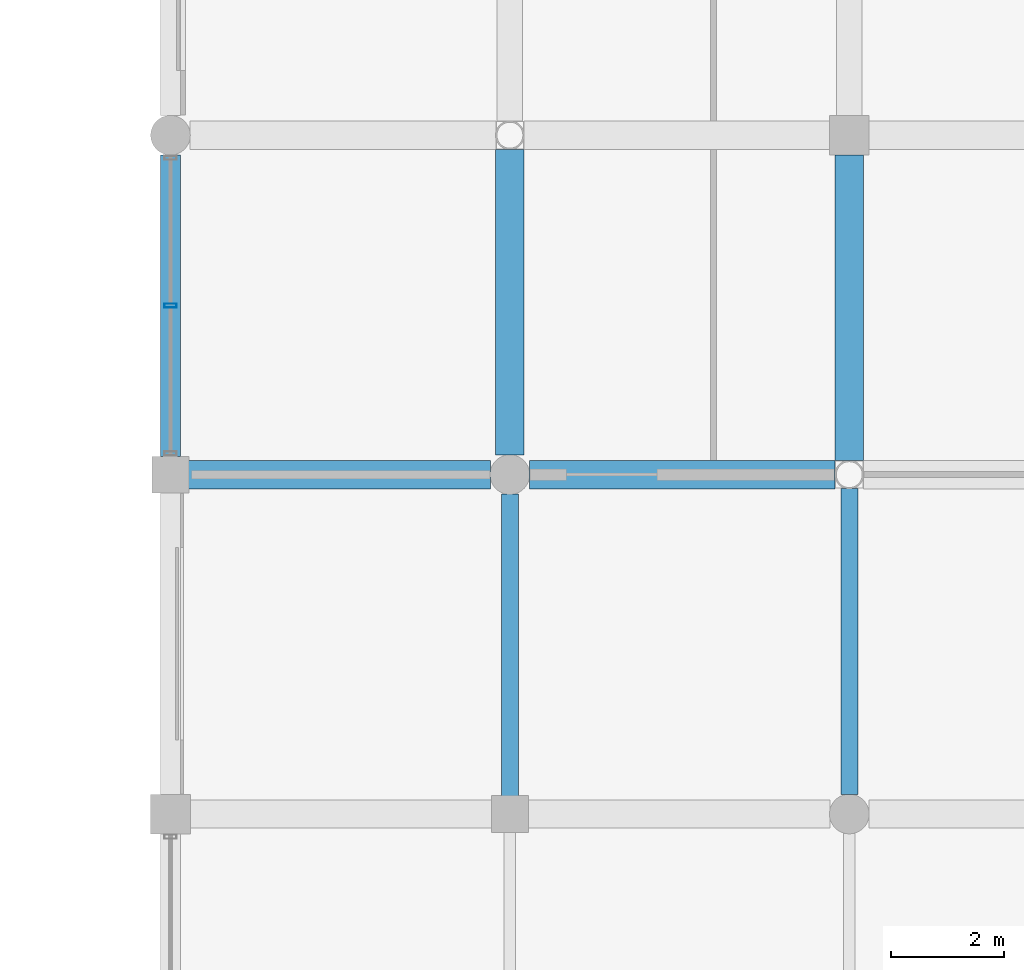
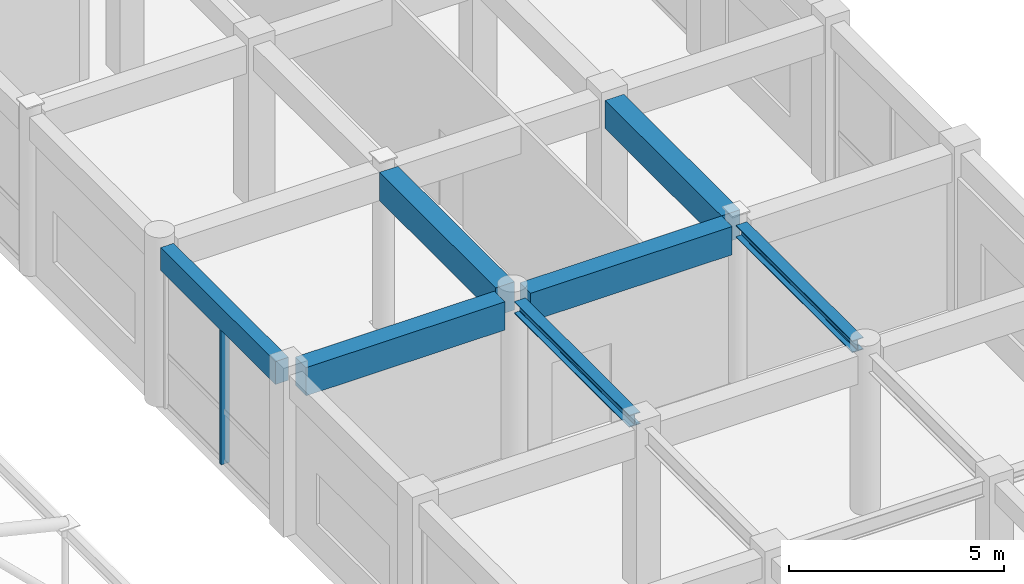
# One storey, part 62 of 112: 7 beams, 1 member, 1 element without a shape of its own.
"""IFC4 building model written with IfcOpenShell, lengths in metres."""

from ifc_helpers import new_model, si_unit, direction, frame, origin, origin_2d, place, context, subcontext, project, spatial, rectangle, hollow_rectangle, i_section, extrude, material, material_profile, profile_set, type_object, element, aggregate, save


model = new_model("IFC4")

# Units and contexts
model_context = context("Model", 3, precision=1e-05, world=origin(), true_north=direction((0.0, 1.0)))
body_context = subcontext(model_context, "Body", "Model", "MODEL_VIEW")
ifc_project = project(units=[si_unit("LENGTHUNIT", "METRE"), si_unit("AREAUNIT", "SQUARE_METRE"), si_unit("VOLUMEUNIT", "CUBIC_METRE"), si_unit("PLANEANGLEUNIT", "RADIAN"), si_unit("MASSUNIT", "GRAM", prefix="KILO"), si_unit("THERMODYNAMICTEMPERATUREUNIT", "KELVIN"), si_unit("POWERUNIT", "WATT")], contexts=[model_context])

# Site, building, storey
site_placement = place(None, origin())
site = spatial("IfcSite", under=ifc_project, at=site_placement, CompositionType="ELEMENT")
building_placement = place(site_placement, origin())
building = spatial("IfcBuilding", under=site, at=building_placement, Name="Phaisarnlok Congress Hotel", CompositionType="ELEMENT")
storey_placement = place(building_placement, frame((0.0, 0.0, 19.800048828125)))
storey = spatial("IfcBuildingStorey", under=building, at=storey_placement, Name="L04", CompositionType="ELEMENT", Elevation=19.800048828125)

# Beams
ifc_material_1 = material(Name="Concrete C40/50", Category="concrete")
ifc_material_profile_1 = material_profile(ifc_material_1, rectangle(XDim=0.5, YDim=0.800048828125, at=origin_2d()), Name="RC 500x800")
ifc_profile_set_1 = profile_set([ifc_material_profile_1], Name="Concrete C40/50")
beam_type_1 = type_object("IfcBeamType", Name="BM-RC-500x800", PredefinedType="BEAM", material=ifc_profile_set_1)
beam_1_placement = place(storey_placement, frame((162.320068359375, 60.0, 4.14990234375), z_axis=(1.0, 0.0, 0.0), x_axis=(0.0, 1.0, 0.0)))
element("IfcBeam", 1, at=beam_1_placement, inside=storey, type_object=beam_type_1, Name="Beam B-04", PredefinedType="BEAM", context=body_context, shape_type="SweptSolid", body=[
    extrude(rectangle(XDim=0.5, YDim=0.800048828125, at=origin_2d()), origin(), (0.0, 0.0, 1.0), 5.3349609375),
])
for number, where, z_axis, x_axis, name in (
    (2, (168.344970703125, 60.0, 4.14990234375), (1.0, 0.0, 0.0), (0.0, 1.0, 0.0), "Beam B-04"),
    (3, (168.0, 60.344970703125, 4.14990234375), (0.0, 1.0, 0.0), (-1.0, 0.0, 0.0), "Beam B-04"),
    (4, (174.0, 60.2490234375, 4.14990234375), (0.0, 1.0, 0.0), (-1.0, 0.0, 0.0), "Beam B-04"),
):
    element("IfcBeam", number, at=place(storey_placement, frame(where, z_axis=z_axis, x_axis=x_axis)), inside=storey, type_object=beam_type_1, Name=name, PredefinedType="BEAM", context=body_context, shape_type="SweptSolid", body=[
        extrude(rectangle(XDim=0.5, YDim=0.800048828125, at=origin_2d()), origin(), (0.0, 0.0, 1.0), 5.406005859375),
    ])
ifc_material_2 = material(Name="Steel S355", Category="steel")
ifc_material_profile_2 = material_profile(ifc_material_2, i_section(OverallWidth=0.300048828125, OverallDepth=0.340087890625, WebThickness=0.011962890625, FlangeThickness=0.021484375, FilletRadius=0.027099609375, at=origin_2d()), Name="HEB 340")
ifc_profile_set_2 = profile_set([ifc_material_profile_2], Name="Steel S355")
beam_type_2 = type_object("IfcBeamType", Name="BM-STL-HEB340", PredefinedType="BEAM", material=ifc_profile_set_2)
beam_2_placement = place(storey_placement, frame((168.0, 54.320068359375, 4.3798828125), z_axis=(0.0, 1.0, 0.0), x_axis=(-1.0, 0.0, 0.0)))
element("IfcBeam", 5, at=beam_2_placement, inside=storey, type_object=beam_type_2, Name="Beam SB-07", PredefinedType="BEAM", context=body_context, shape_type="SweptSolid", body=[
    extrude(i_section(OverallWidth=0.300048828125, OverallDepth=0.340087890625, WebThickness=0.011962890625, FlangeThickness=0.021484375, FilletRadius=0.027099609375, at=origin_2d()), origin(), (0.0, 0.0, 1.0), 5.3349609375),
])
beam_3_placement = place(storey_placement, frame((174.0, 54.344970703125, 4.3798828125), z_axis=(0.0, 1.0, 0.0), x_axis=(-1.0, 0.0, 0.0)))
element("IfcBeam", 6, at=beam_3_placement, inside=storey, type_object=beam_type_2, Name="Beam SB-07", PredefinedType="BEAM", context=body_context, shape_type="SweptSolid", body=[
    extrude(i_section(OverallWidth=0.300048828125, OverallDepth=0.340087890625, WebThickness=0.011962890625, FlangeThickness=0.021484375, FilletRadius=0.027099609375, at=origin_2d()), origin(), (0.0, 0.0, 1.0), 5.406005859375),
])

# Curtain wall, member
ifc_material_3 = material(Name="Thermally Broken Unitised Aluminium & Low-E Glazing", Category="aluminium")
curtain_wall_type = type_object("IfcCurtainWallType", Name="CW-UNIT-33", PredefinedType="NOTDEFINED", material=ifc_material_3)
curtain_wall_placement = place(storey_placement, origin())
curtain_wall = element("IfcCurtainWall", 7, at=curtain_wall_placement, inside=storey, type_object=curtain_wall_type, Name="Unitised curtain wall CW-33 (L04)", PredefinedType="NOTDEFINED")
ifc_material_4 = material(Name="Anodised Aluminium Alloy 6063-T6", Category="aluminium")
ifc_material_profile_3 = material_profile(ifc_material_4, hollow_rectangle(XDim=0.074951171875, YDim=0.219970703125, WallThickness=0.0048828125, at=origin_2d()), Name="ALU-M 75x220x5")
ifc_profile_set_3 = profile_set([ifc_material_profile_3], Name="Anodised Aluminium Alloy 6063-T6")
member_type = type_object("IfcMemberType", Name="CWM-220", PredefinedType="MULLION", material=ifc_profile_set_3)
member_placement = place(storey_placement, frame((162.0, 62.987548828125, 0.0), z_axis=(0.0, 0.0, 1.0), x_axis=(0.0, -1.0, 0.0)))
member = element("IfcMember", 8, at=member_placement, type_object=member_type, Name="Curtain wall mullion CWM-02", PredefinedType="MULLION", context=body_context, shape_type="SweptSolid", body=[
    extrude(hollow_rectangle(XDim=0.074951171875, YDim=0.219970703125, WallThickness=0.0048828125, at=origin_2d()), origin(), (0.0, 0.0, 1.0), 3.89990234375),
])
aggregate(curtain_wall, [member])

# Beam
ifc_material_profile_4 = material_profile(ifc_material_1, rectangle(XDim=0.35009765625, YDim=0.64990234375, at=origin_2d()), Name="RC 350x650")
ifc_profile_set_4 = profile_set([ifc_material_profile_4], Name="Concrete C40/50")
beam_type_3 = type_object("IfcBeamType", Name="SP-RC-350x650", PredefinedType="SPANDREL", material=ifc_profile_set_4)
beam_4_placement = place(storey_placement, frame((162.0, 60.320068359375, 4.224853515625), z_axis=(0.0, 1.0, 0.0), x_axis=(-1.0, 0.0, 0.0)))
element("IfcBeam", 9, at=beam_4_placement, inside=storey, type_object=beam_type_3, Name="Beam SP-01", PredefinedType="SPANDREL", context=body_context, shape_type="SweptSolid", body=[
    extrude(rectangle(XDim=0.35009765625, YDim=0.64990234375, at=origin_2d()), origin(), (0.0, 0.0, 1.0), 5.3349609375),
])

save(model, "model.ifc")
